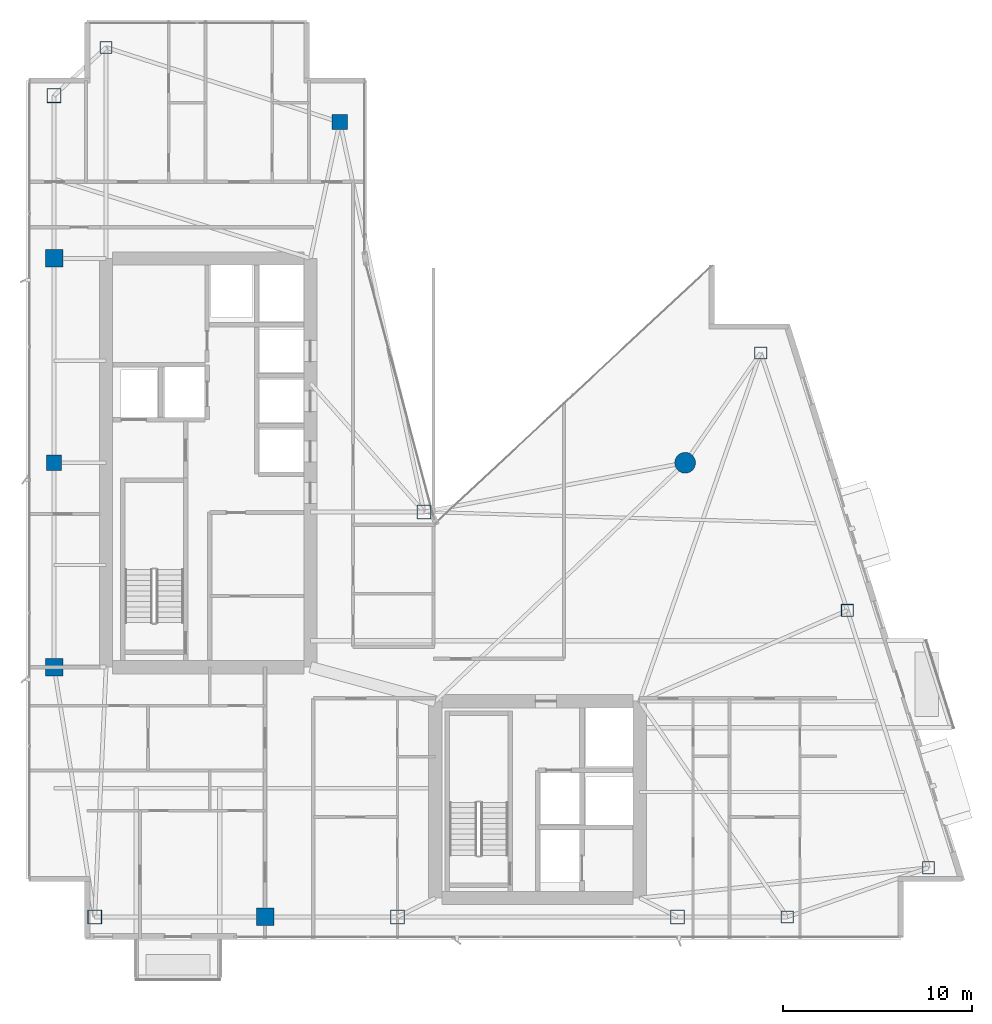
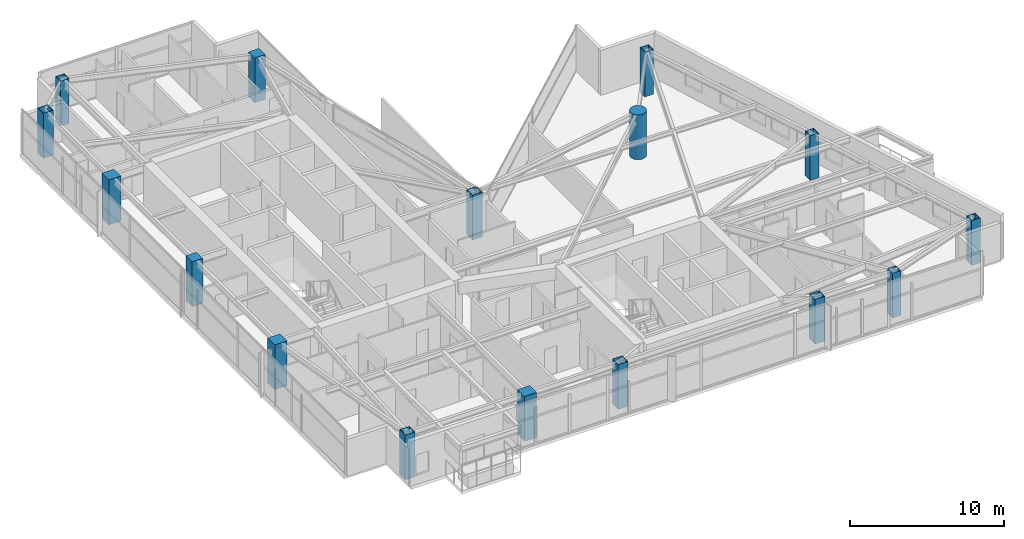
# One storey, part 1 of 27: 16 columns.
"""IFC4 building model written with IfcOpenShell, lengths in metres."""

import ifcopenshell
import ifcopenshell.guid

model = None  # the IFC model being written
_history = None  # IfcOwnerHistory: only IFC2X3 demands one
_inside = {}  # id of a spatial element -> (the spatial element, [elements in it])
_under = {}  # id of a project, library or spatial element -> (it, [spatial elements below it])
_declared = {}  # id of a project -> (the project, [libraries it declares])
_typed = {}  # id of a type object -> (the type object, [elements of that type])
_made_of = {}  # id of a material, layer set ... -> (it, [elements and type objects made of it])


def new_model(schema):
    """Start an empty IFC model of exactly this schema.

    Asked for "IFC4X3", IfcOpenShell would pick the latest addendum, in which some entities
    have other attributes; the version numbers below select the first issue.
    IFC2X3 requires an IfcOwnerHistory on every rooted entity: one is made here for all.
    """
    global model, _history
    if schema == "IFC4X3":
        model = ifcopenshell.file(schema_version=(4, 3, 0, 0))
    else:
        model = ifcopenshell.file(schema=schema)
    _inside.clear()
    _under.clear()
    _declared.clear()
    _typed.clear()
    _made_of.clear()
    _history = None
    if model.schema == "IFC2X3":
        org = make("IfcOrganization", Name="unknown")
        user = make(
            "IfcPersonAndOrganization",
            ThePerson=make("IfcPerson", FamilyName="unknown"),
            TheOrganization=org,
        )
        app = make(
            "IfcApplication",
            ApplicationDeveloper=org,
            Version="unknown",
            ApplicationFullName="unknown",
            ApplicationIdentifier="unknown",
        )
        _history = make(
            "IfcOwnerHistory",
            OwningUser=user,
            OwningApplication=app,
            ChangeAction="ADDED",
            CreationDate=0,
        )
    return model


def make(cls, **values):
    """One entity of the class cls with the attributes given. An attribute that is None is left unset."""
    return model.create_entity(
        cls, **{name: value for name, value in values.items() if value is not None}
    )


def rooted(cls, **values):
    """An entity with a GlobalId (a new one), such as an element, a storey or a relation."""
    return make(cls, GlobalId=ifcopenshell.guid.new(), OwnerHistory=_history, **values)


def si_unit(unit_type, name, prefix=None):
    """IfcSIUnit, for example si_unit("LENGTHUNIT", "METRE", prefix="MILLI")."""
    return make("IfcSIUnit", UnitType=unit_type, Prefix=prefix, Name=name)


def assignment(units):
    """IfcUnitAssignment: the units of a project."""
    return None if units is None else make("IfcUnitAssignment", Units=units)


def point(xyz):
    """IfcCartesianPoint."""
    return None if xyz is None else make("IfcCartesianPoint", Coordinates=xyz)


def direction(xyz):
    """IfcDirection."""
    return None if xyz is None else make("IfcDirection", DirectionRatios=xyz)


def frame(location, z_axis=None, x_axis=None):
    """IfcAxis2Placement3D, a coordinate frame: its origin and axes. An axis left out is left unset."""
    return make(
        "IfcAxis2Placement3D",
        Location=point(location),
        Axis=direction(z_axis),
        RefDirection=direction(x_axis),
    )


def frame_2d(location, x_axis=None):
    """IfcAxis2Placement2D, a coordinate frame in the plane: its origin and x axis."""
    return make(
        "IfcAxis2Placement2D", Location=point(location), RefDirection=direction(x_axis)
    )


def origin():
    """The frame at (0, 0, 0) with its axes left unset."""
    return frame((0.0, 0.0, 0.0))


def origin_2d():
    """The frame at (0, 0) in the plane with its x axis left unset."""
    return frame_2d((0.0, 0.0))


def place(relative_to, where):
    """IfcLocalPlacement: puts the frame where relative to a parent placement (None: the world)."""
    return make(
        "IfcLocalPlacement", PlacementRelTo=relative_to, RelativePlacement=where
    )


def context(
    kind, dimensions, precision=None, world=None, true_north=None, identifier=None
):
    """IfcGeometricRepresentationContext, for example the 3D "Model" context."""
    return make(
        "IfcGeometricRepresentationContext",
        ContextIdentifier=identifier,
        ContextType=kind,
        CoordinateSpaceDimension=dimensions,
        Precision=precision,
        WorldCoordinateSystem=world,
        TrueNorth=true_north,
    )


def subcontext(parent, identifier, kind, view, scale=None):
    """IfcGeometricRepresentationSubContext, for example "Body" below "Model"."""
    return make(
        "IfcGeometricRepresentationSubContext",
        ContextIdentifier=identifier,
        ContextType=kind,
        ParentContext=parent,
        TargetScale=scale,
        TargetView=view,
    )


def project(units=None, contexts=None):
    """IfcProject with its units and contexts."""
    return rooted(
        "IfcProject",
        Name="project",
        RepresentationContexts=contexts,
        UnitsInContext=assignment(units),
    )


def spatial(cls, under=None, at=None, **own):
    """A site, building, storey or space (cls), placed at a placement, below another one or the project."""
    s = rooted(cls, ObjectPlacement=at, **own)
    if under is not None:
        _under.setdefault(under.id(), (under, []))[1].append(s)
    return s


def profile(cls, at=None, kind="AREA", **sizes):
    """A parametric profile (cls). Its sizes go by their IFC names, for example OverallWidth=200.0."""
    return make(cls, ProfileType=kind, Position=at, **sizes)


def rectangle(**sizes):
    """IfcRectangleProfileDef."""
    return profile("IfcRectangleProfileDef", **sizes)


def hollow_rectangle(**sizes):
    """IfcRectangleHollowProfileDef."""
    return profile("IfcRectangleHollowProfileDef", **sizes)


def circle(**sizes):
    """IfcCircleProfileDef."""
    return profile("IfcCircleProfileDef", **sizes)


def extrude(swept, where, along, depth):
    """IfcExtrudedAreaSolid: the profile swept, set in the frame where, extruded along a direction by depth."""
    return make(
        "IfcExtrudedAreaSolid",
        SweptArea=swept,
        Position=where,
        ExtrudedDirection=direction(along),
        Depth=depth,
    )


def shape(context_of_items, identifier, shape_type, items):
    """IfcShapeRepresentation: the items that make up one representation, for example the "Body"."""
    return make(
        "IfcShapeRepresentation",
        ContextOfItems=context_of_items,
        RepresentationIdentifier=identifier,
        RepresentationType=shape_type,
        Items=items,
    )


def material(Name=None, Category=None):
    """IfcMaterial."""
    return make("IfcMaterial", Name=Name, Category=Category)


def material_profile(
    of_material, cross_section, Name=None, Category=None, Priority=None
):
    """IfcMaterialProfile: a cross section and its material."""
    return make(
        "IfcMaterialProfile",
        Name=Name,
        Material=of_material,
        Profile=cross_section,
        Priority=Priority,
        Category=Category,
    )


def profile_set(profiles, Name=None, composite=None):
    """IfcMaterialProfileSet."""
    return make(
        "IfcMaterialProfileSet",
        Name=Name,
        MaterialProfiles=profiles,
        CompositeProfile=composite,
    )


def made_of(thing, what):
    """Note that an element or type object is made of a material, layer set ...; save() writes the relation."""
    if what is not None:
        _made_of.setdefault(what.id(), (what, []))[1].append(thing)
    return thing


def type_object(cls, material=None, **own):
    """A type object (cls), such as IfcWallType, which elements share."""
    return made_of(rooted(cls, **own), material)


def element(
    cls,
    number,
    at=None,
    inside=None,
    cuts=None,
    type_object=None,
    material=None,
    context=None,
    identifier="Body",
    shape_type=None,
    held_by="IfcProductDefinitionShape",
    body=None,
    shapes=None,
    **own,
):
    """One element of the class cls, such as IfcWall. Its Tag is "e" and its number.

    at: its placement. inside: the storey or other place that contains it. cuts: it is an
    opening in that element (IfcRelVoidsElement). A single representation is given by context,
    identifier, shape_type and body (its items); several are given by shapes. held_by: the class
    of the entity that holds the representations. save() writes the other relations.
    """
    e = rooted(cls, Tag="e%d" % number, ObjectPlacement=at, **own)
    if body is not None:
        shapes = [shape(context, identifier, shape_type, body)]
    if shapes is not None:
        e.Representation = make(held_by, Representations=shapes)
    if inside is not None:
        _inside.setdefault(inside.id(), (inside, []))[1].append(e)
    if cuts is not None:
        rooted(
            "IfcRelVoidsElement", RelatingBuildingElement=cuts, RelatedOpeningElement=e
        )
    if type_object is not None:
        _typed.setdefault(type_object.id(), (type_object, []))[1].append(e)
    return made_of(e, material)


def aggregate(whole, parts):
    """IfcRelAggregates: a whole, such as a stair, and the parts it consists of."""
    return rooted("IfcRelAggregates", RelatingObject=whole, RelatedObjects=parts)


def save(model, path):
    """Write the relations noted so far, then the file.

    IfcRelAggregates (storeys below a building ...), IfcRelContainedInSpatialStructure (elements
    in a storey), IfcRelDefinesByType, IfcRelAssociatesMaterial and IfcRelDeclares: one each for
    every whole, place, type object, material and project.
    """
    for whole, parts in _under.values():
        aggregate(whole, parts)
    for where, things in _inside.values():
        rooted(
            "IfcRelContainedInSpatialStructure",
            RelatedElements=things,
            RelatingStructure=where,
        )
    for kind, things in _typed.values():
        rooted("IfcRelDefinesByType", RelatedObjects=things, RelatingType=kind)
    for what, things in _made_of.values():
        rooted("IfcRelAssociatesMaterial", RelatedObjects=things, RelatingMaterial=what)
    for by, libraries in _declared.values():
        rooted("IfcRelDeclares", RelatingContext=by, RelatedDefinitions=libraries)
    model.write(path)


model = new_model("IFC4")

# Units and contexts
model_context = context("Model", 3, precision=1e-05, world=origin(), true_north=direction((0.0, 1.0)))
body_context = subcontext(model_context, "Body", "Model", "MODEL_VIEW")
ifc_project = project(units=[si_unit("LENGTHUNIT", "METRE"), si_unit("AREAUNIT", "SQUARE_METRE"), si_unit("VOLUMEUNIT", "CUBIC_METRE"), si_unit("PLANEANGLEUNIT", "RADIAN"), si_unit("MASSUNIT", "GRAM", prefix="KILO")], contexts=[model_context])

# Site, building, storey
site_placement = place(None, origin())
site = spatial("IfcSite", under=ifc_project, at=site_placement, CompositionType="ELEMENT")
building_placement = place(site_placement, origin())
building = spatial("IfcBuilding", under=site, at=building_placement, Name="Calvorn Quay Hotel", CompositionType="ELEMENT")
storey_placement = place(building_placement, frame((0.0, 0.0, 223.10009765625)))
storey = spatial("IfcBuildingStorey", under=building, at=storey_placement, Name="L55", CompositionType="ELEMENT", Elevation=223.10009765625)

# Columns
ifc_material_1 = material(Name="Concrete C45", Category="concrete")
ifc_material_profile_1 = material_profile(ifc_material_1, rectangle(XDim=0.800048828125, YDim=0.800048828125, at=origin_2d()), Name="RC800x800")
ifc_profile_set_1 = profile_set([ifc_material_profile_1], Name="Concrete C45")
column_type_1 = type_object("IfcColumnType", Name="COL-RC-800", PredefinedType="COLUMN", material=ifc_profile_set_1)
for number, where, z_axis, x_axis, name in (
    (1, (1.449951171875, 27.60009765625, 0.0), (0.0, 0.0, 1.0), (1.0, 0.0, 0.0), "Column C-W3 (L55)"),
    (2, (16.550048828125, 45.60009765625, 0.0), (0.0, 0.0, 1.0), (1.0, 0.0, 0.0), "Column C-IC1 (L55)"),
):
    element("IfcColumn", number, at=place(storey_placement, frame(where, z_axis=z_axis, x_axis=x_axis)), inside=storey, type_object=column_type_1, Name=name, PredefinedType="COLUMN", context=body_context, shape_type="SweptSolid", body=[
        extrude(rectangle(XDim=0.800048828125, YDim=0.800048828125, at=origin_2d()), origin(), (0.0, 0.0, 1.0), 3.559814453125),
    ])
ifc_material_2 = material(Name="Concrete C45", Category="concrete")
ifc_material_profile_2 = material_profile(ifc_material_2, rectangle(XDim=0.919921875, YDim=0.919921875, at=origin_2d()), Name="RC920x920")
ifc_profile_set_2 = profile_set([ifc_material_profile_2], Name="Concrete C45")
column_type_2 = type_object("IfcColumnType", Name="COL-RC-920", PredefinedType="COLUMN", material=ifc_profile_set_2)
for number, where, z_axis, x_axis, name in (
    (3, (1.449951171875, 16.800048828125, 0.0), (0.0, 0.0, 1.0), (1.0, 0.0, 0.0), "Column C-W2 (L55)"),
    (4, (1.449951171875, 38.39990234375, 0.0), (0.0, 0.0, 1.0), (1.0, 0.0, 0.0), "Column C-W4 (L55)"),
    (5, (12.60009765625, 3.60009765625, 0.0), (0.0, 0.0, 1.0), (1.0, 0.0, 0.0), "Column C-S1 (L55)"),
):
    element("IfcColumn", number, at=place(storey_placement, frame(where, z_axis=z_axis, x_axis=x_axis)), inside=storey, type_object=column_type_2, Name=name, PredefinedType="COLUMN", context=body_context, shape_type="SweptSolid", body=[
        extrude(rectangle(XDim=0.919921875, YDim=0.919921875, at=origin_2d()), origin(), (0.0, 0.0, 1.0), 3.559814453125),
    ])
ifc_material_3 = material(Name="Concrete C50", Category="concrete")
ifc_material_profile_3 = material_profile(ifc_material_3, circle(Radius=0.550048828125, at=origin_2d()), Name="RCD1100")
ifc_profile_set_3 = profile_set([ifc_material_profile_3], Name="Concrete C50")
column_type_3 = type_object("IfcColumnType", Name="COL-RC-D1100", PredefinedType="COLUMN", material=ifc_profile_set_3)
column_placement = place(storey_placement, frame((34.800048828125, 27.60009765625, 0.0), z_axis=(0.0, 0.0, 1.0), x_axis=(1.0, 0.0, 0.0)))
element("IfcColumn", 6, at=column_placement, inside=storey, type_object=column_type_3, Name="Column C-NC1 (L55)", PredefinedType="COLUMN", context=body_context, shape_type="SweptSolid", body=[
    extrude(circle(Radius=0.550048828125, at=origin_2d()), origin(), (0.0, 0.0, 1.0), 3.559814453125),
])
ifc_material_4 = material(Name="Steel Q390GJC", Category="steel")
ifc_material_profile_4 = material_profile(ifc_material_4, hollow_rectangle(XDim=0.75, YDim=0.75, WallThickness=0.031982421875, at=origin_2d()), Name="BOX750x750x32")
ifc_profile_set_4 = profile_set([ifc_material_profile_4], Name="Steel Q390GJC")
column_type_4 = type_object("IfcColumnType", Name="COL-STL-Z3", PredefinedType="COLUMN", material=ifc_profile_set_4)
for number, where, z_axis, x_axis, name in (
    (7, (3.60009765625, 3.60009765625, 0.0), (0.0, 0.0, 1.0), (1.0, 0.0, 0.0), "Column C-W1 (L55)"),
    (8, (1.449951171875, 47.0, 0.0), (0.0, 0.0, 1.0), (1.0, 0.0, 0.0), "Column C-W5 (L55)"),
    (9, (21.0, 25.0, 0.0), (0.0, 0.0, 1.0), (1.0, 0.0, 0.0), "Column C-IC2 (L55)"),
    (10, (19.60009765625, 3.60009765625, 0.0), (0.0, 0.0, 1.0), (1.0, 0.0, 0.0), "Column C-S2 (L55)"),
    (11, (34.39990234375, 3.60009765625, 0.0), (0.0, 0.0, 1.0), (1.0, 0.0, 0.0), "Column C-S3 (L55)"),
):
    element("IfcColumn", number, at=place(storey_placement, frame(where, z_axis=z_axis, x_axis=x_axis)), inside=storey, type_object=column_type_4, Name=name, PredefinedType="COLUMN", context=body_context, shape_type="SweptSolid", body=[
        extrude(hollow_rectangle(XDim=0.75, YDim=0.75, WallThickness=0.031982421875, at=origin_2d()), origin(), (0.0, 0.0, 1.0), 3.559814453125),
    ])
ifc_material_5 = material(Name="Steel Q355B", Category="steel")
ifc_material_profile_5 = material_profile(ifc_material_5, hollow_rectangle(XDim=0.64990234375, YDim=0.64990234375, WallThickness=0.028076171875, at=origin_2d()), Name="BOX650x650x28")
ifc_profile_set_5 = profile_set([ifc_material_profile_5], Name="Steel Q355B")
column_type_5 = type_object("IfcColumnType", Name="COL-STL-Z4", PredefinedType="COLUMN", material=ifc_profile_set_5)
for number, where, z_axis, x_axis, name in (
    (12, (4.199951171875, 49.550048828125, 0.0), (0.0, 0.0, 1.0), (1.0, 0.0, 0.0), "Column C-NW1 (L55)"),
    (13, (40.199951171875, 3.60009765625, 0.0), (0.0, 0.0, 1.0), (1.0, 0.0, 0.0), "Column C-S4 (L55)"),
    (14, (47.660888671875, 6.199951171875, 0.0), (0.0, 0.0, 1.0), (1.0, 0.0, 0.0), "Column C-ET1 (L55)"),
    (15, (43.3759765625, 19.800048828125, 0.0), (0.0, 0.0, 1.0), (1.0, 0.0, 0.0), "Column C-ET2 (L55)"),
    (16, (38.791015625, 33.39990234375, 0.0), (0.0, 0.0, 1.0), (1.0, 0.0, 0.0), "Column C-ET3 (L55)"),
):
    element("IfcColumn", number, at=place(storey_placement, frame(where, z_axis=z_axis, x_axis=x_axis)), inside=storey, type_object=column_type_5, Name=name, PredefinedType="COLUMN", context=body_context, shape_type="SweptSolid", body=[
        extrude(hollow_rectangle(XDim=0.64990234375, YDim=0.64990234375, WallThickness=0.028076171875, at=origin_2d()), origin(), (0.0, 0.0, 1.0), 3.559814453125),
    ])

save(model, "model.ifc")
